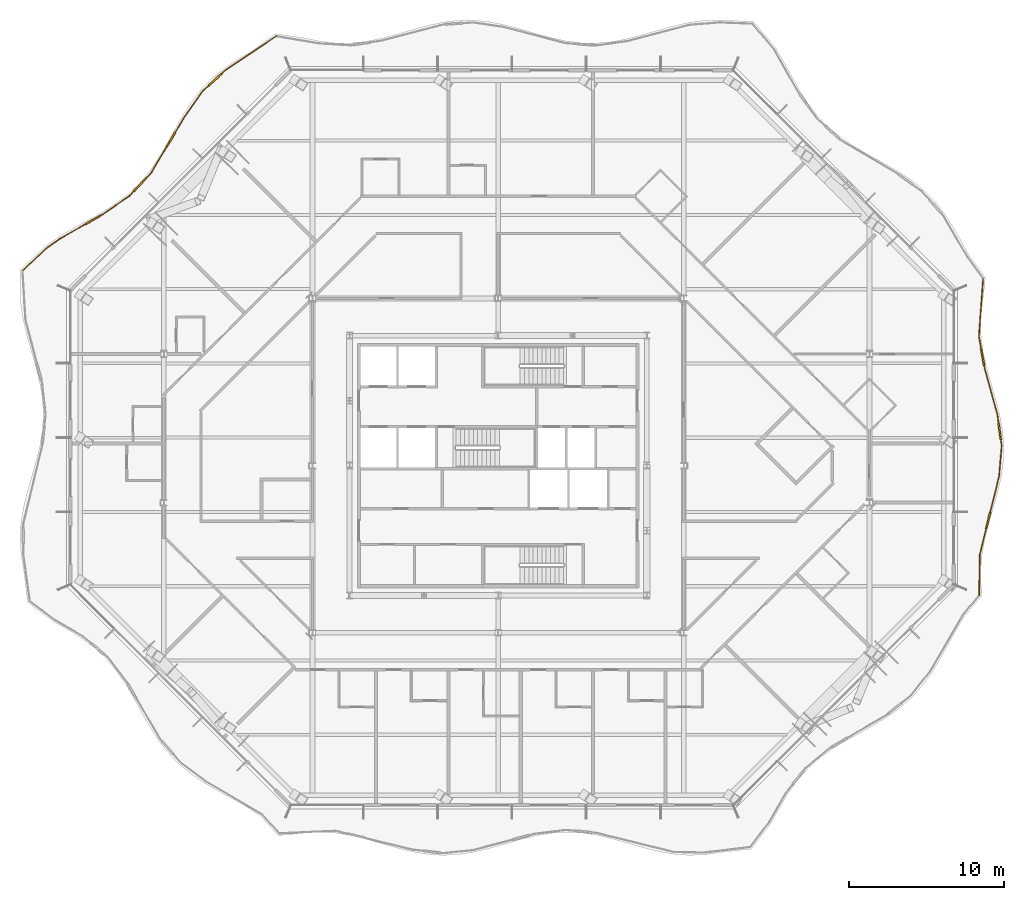
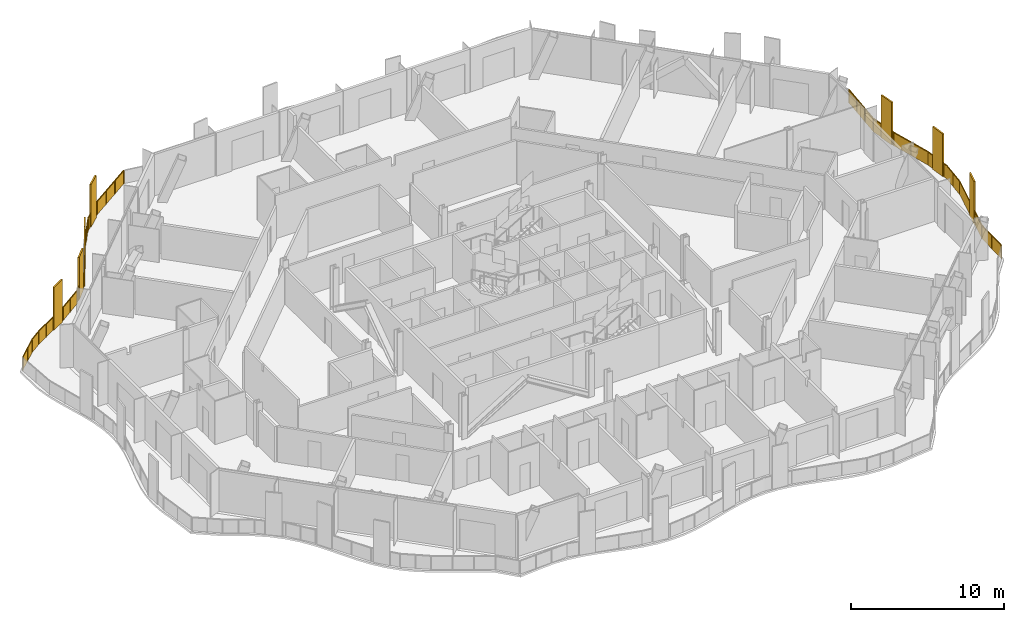
# One storey, part 19 of 21: 2 railings.
"""IFC4 building model written with IfcOpenShell, lengths in metres."""

from ifc_helpers import new_model, si_unit, direction, frame, origin, origin_2d, place, context, subcontext, project, spatial, polyline, rectangle, outline, extrude, material, type_object, element, save


model = new_model("IFC4")

# Units and contexts
model_context = context("Model", 3, precision=1e-05, world=origin(), true_north=direction((0.0, 1.0)))
body_context = subcontext(model_context, "Body", "Model", "MODEL_VIEW")
ifc_project = project(units=[si_unit("LENGTHUNIT", "METRE"), si_unit("AREAUNIT", "SQUARE_METRE"), si_unit("VOLUMEUNIT", "CUBIC_METRE"), si_unit("PLANEANGLEUNIT", "RADIAN"), si_unit("MASSUNIT", "GRAM", prefix="KILO")], contexts=[model_context])

# Site, building, storey
site_placement = place(None, origin())
site = spatial("IfcSite", under=ifc_project, at=site_placement, CompositionType="ELEMENT")
building_placement = place(site_placement, origin())
building = spatial("IfcBuilding", under=site, at=building_placement, Name="Cairn Pilgrim Tower", CompositionType="ELEMENT")
storey_placement = place(building_placement, frame((0.0, 0.0, 179.39990234375)))
storey = spatial("IfcBuildingStorey", under=building, at=storey_placement, Name="L45", CompositionType="ELEMENT", Elevation=179.39990234375)

# Railings
ifc_material = material(Name="Bronze anodised aluminium rail, posts and fin screens with laminated glass infill", Category="aluminium")
railing_type = type_object("IfcRailingType", Name="BALCONY GUARD WITH FIN SCREENS", PredefinedType="GUARDRAIL", material=ifc_material)
railing_1_placement = place(storey_placement, frame((38.290771484375, -5.982666015625, 0.0)))
element("IfcRailing", 1, at=railing_1_placement, inside=storey, type_object=railing_type, Name="Balcony guard BGF-3 with fin screens", PredefinedType="GUARDRAIL", context=body_context, shape_type="SweptSolid", body=[
    extrude(rectangle(XDim=0.050048828125, YDim=0.050048828125, at=origin_2d()), frame((0.0, 0.0, 1.0751953125), z_axis=(0.014983425772, 0.999887742175, 0.0), x_axis=(-0.999887742175, 0.014983425772, 0.0)), (0.0, 0.0, 1.0), 2.623291015625),
    extrude(rectangle(XDim=1.10009765625, YDim=0.110107421875, at=origin_2d()), frame((0.5849609375, 4.8330078125, 0.0), z_axis=(0.0, 0.0, 1.0), x_axis=(0.239755874663, 0.970833209447, 0.0)), (0.0, 0.0, 1.0), 3.39990234375),
    extrude(rectangle(XDim=0.050048828125, YDim=0.050048828125, at=origin_2d()), frame((0.039306640625, 2.623046875, 1.0751953125), z_axis=(0.239755874663, 0.970833209447, 0.0), x_axis=(-0.970833209447, 0.239755874663, 0.0)), (0.0, 0.0, 1.0), 1.726318359375),
    extrude(rectangle(XDim=0.050048828125, YDim=0.050048828125, at=origin_2d()), frame((0.716796875, 5.366943359375, 1.0751953125), z_axis=(0.239755874663, 0.970833209447, 0.0), x_axis=(-0.970833209447, 0.239755874663, 0.0)), (0.0, 0.0, 1.0), 2.38330078125),
    extrude(rectangle(XDim=0.050048828125, YDim=0.050048828125, at=origin_2d()), frame((1.288330078125, 7.6806640625, 1.0751953125), z_axis=(0.083146523356, 0.996537332795, 0.0), x_axis=(-0.996537332795, 0.083146523356, 0.0)), (0.0, 0.0, 1.0), 1.99951171875),
    extrude(rectangle(XDim=1.10009765625, YDim=0.110107421875, at=origin_2d()), frame((1.328857421875, 10.58984375, 0.0), z_axis=(0.0, 0.0, 1.0), x_axis=(-0.135919350568, 0.990719904989, 0.0)), (0.0, 0.0, 1.0), 3.39990234375),
    extrude(rectangle(XDim=0.050048828125, YDim=0.050048828125, at=origin_2d()), frame((1.45458984375, 9.67333984375, 1.0751953125), z_axis=(-0.135919350568, 0.990719904989, 0.0), x_axis=(-0.990719904989, -0.135919350568, 0.0)), (0.0, 0.0, 1.0), 0.375244140625),
    extrude(rectangle(XDim=0.050048828125, YDim=0.050048828125, at=origin_2d()), frame((1.254150390625, 11.134765625, 1.0751953125), z_axis=(-0.135919350568, 0.990719904989, 0.0), x_axis=(-0.990719904989, -0.135919350568, 0.0)), (0.0, 0.0, 1.0), 0.538330078125),
    extrude(rectangle(XDim=0.050048828125, YDim=0.050048828125, at=origin_2d()), frame((1.180908203125, 11.668212890625, 1.0751953125), z_axis=(-0.266553808862, 0.96382003869, 0.0), x_axis=(-0.96382003869, -0.266553808862, 0.0)), (0.0, 0.0, 1.0), 3.142578125),
    extrude(rectangle(XDim=1.10009765625, YDim=0.110107421875, at=origin_2d()), frame((0.22216796875, 15.38623046875, 0.0), z_axis=(0.0, 0.0, 1.0), x_axis=(-0.172967470209, 0.984927537563, 0.0)), (0.0, 0.0, 1.0), 3.39990234375),
    extrude(rectangle(XDim=0.050048828125, YDim=0.050048828125, at=origin_2d()), frame((0.34326171875, 14.697021484375, 1.0751953125), z_axis=(-0.172967470209, 0.984927537563, 0.0), x_axis=(-0.984927537563, -0.172967470209, 0.0)), (0.0, 0.0, 1.0), 0.14990234375),
    extrude(rectangle(XDim=0.050048828125, YDim=0.050048828125, at=origin_2d()), frame((0.127197265625, 15.927978515625, 1.0751953125), z_axis=(-0.172967470209, 0.984927537563, 0.0), x_axis=(-0.984927537563, -0.172967470209, 0.0)), (0.0, 0.0, 1.0), 0.827880859375),
    extrude(rectangle(XDim=0.050048828125, YDim=0.050048828125, at=origin_2d()), frame((-0.01611328125, 16.743408203125, 1.0751953125), z_axis=(0.072629009859, 0.997359026092, 0.0), x_axis=(-0.997359026092, 0.072629009859, 0.0)), (0.0, 0.0, 1.0), 3.69091796875),
    extrude(rectangle(XDim=0.050048828125, YDim=0.050048828125, at=origin_2d()), origin(), (0.0, 0.0, 1.0), 1.050048828125),
    extrude(rectangle(XDim=0.050048828125, YDim=0.050048828125, at=origin_2d()), frame((0.01953125, 1.3115234375, 0.0)), (0.0, 0.0, 1.0), 1.050048828125),
    extrude(rectangle(XDim=0.050048828125, YDim=0.050048828125, at=origin_2d()), frame((0.039306640625, 2.623046875, 0.0)), (0.0, 0.0, 1.0), 1.050048828125),
    extrude(rectangle(XDim=0.050048828125, YDim=0.050048828125, at=origin_2d()), frame((0.447265625, 4.274658203125, 0.0)), (0.0, 0.0, 1.0), 1.050048828125),
    extrude(rectangle(XDim=0.050048828125, YDim=0.050048828125, at=origin_2d()), frame((0.722900390625, 5.39111328125, 0.0)), (0.0, 0.0, 1.0), 1.050048828125),
    extrude(rectangle(XDim=0.050048828125, YDim=0.050048828125, at=origin_2d()), frame((1.005615234375, 6.535888671875, 0.0)), (0.0, 0.0, 1.0), 1.050048828125),
    extrude(rectangle(XDim=0.050048828125, YDim=0.050048828125, at=origin_2d()), frame((1.288330078125, 7.6806640625, 0.0)), (0.0, 0.0, 1.0), 1.050048828125),
    extrude(rectangle(XDim=0.050048828125, YDim=0.050048828125, at=origin_2d()), frame((1.37158203125, 8.677001953125, 0.0)), (0.0, 0.0, 1.0), 1.050048828125),
    extrude(rectangle(XDim=0.050048828125, YDim=0.050048828125, at=origin_2d()), frame((1.45458984375, 9.67333984375, 0.0)), (0.0, 0.0, 1.0), 1.050048828125),
    extrude(rectangle(XDim=0.050048828125, YDim=0.050048828125, at=origin_2d()), frame((1.406982421875, 10.020263671875, 0.0)), (0.0, 0.0, 1.0), 1.050048828125),
    extrude(rectangle(XDim=0.050048828125, YDim=0.050048828125, at=origin_2d()), frame((1.250732421875, 11.15966796875, 0.0)), (0.0, 0.0, 1.0), 1.050048828125),
    extrude(rectangle(XDim=0.050048828125, YDim=0.050048828125, at=origin_2d()), frame((1.180908203125, 11.668212890625, 0.0)), (0.0, 0.0, 1.0), 1.050048828125),
    extrude(rectangle(XDim=0.050048828125, YDim=0.050048828125, at=origin_2d()), frame((0.76220703125, 13.1826171875, 0.0)), (0.0, 0.0, 1.0), 1.050048828125),
    extrude(rectangle(XDim=0.050048828125, YDim=0.050048828125, at=origin_2d()), frame((0.34326171875, 14.697021484375, 0.0)), (0.0, 0.0, 1.0), 1.050048828125),
    extrude(rectangle(XDim=0.050048828125, YDim=0.050048828125, at=origin_2d()), frame((0.32177734375, 14.820068359375, 0.0)), (0.0, 0.0, 1.0), 1.050048828125),
    extrude(rectangle(XDim=0.050048828125, YDim=0.050048828125, at=origin_2d()), frame((0.122802734375, 15.95263671875, 0.0)), (0.0, 0.0, 1.0), 1.050048828125),
    extrude(rectangle(XDim=0.050048828125, YDim=0.050048828125, at=origin_2d()), frame((-0.01611328125, 16.743408203125, 0.0)), (0.0, 0.0, 1.0), 1.050048828125),
    extrude(rectangle(XDim=0.050048828125, YDim=0.050048828125, at=origin_2d()), frame((0.0732421875, 17.970458984375, 0.0)), (0.0, 0.0, 1.0), 1.050048828125),
    extrude(rectangle(XDim=0.050048828125, YDim=0.050048828125, at=origin_2d()), frame((0.16259765625, 19.197509765625, 0.0)), (0.0, 0.0, 1.0), 1.050048828125),
    extrude(rectangle(XDim=0.050048828125, YDim=0.050048828125, at=origin_2d()), frame((0.251953125, 20.424560546875, 0.0)), (0.0, 0.0, 1.0), 1.050048828125),
    extrude(outline(polyline([(0.02490234375, 0.0), (1.28662109375, 0.0), (1.28662109375, 1.050048828125), (0.02490234375, 1.050048828125), (0.02490234375, 0.0)])), frame((-0.005859375, 0.0, 0.0), z_axis=(0.999887742175, -0.014983425772, 0.0), x_axis=(0.014983425772, 0.999887742175, 0.0)), (0.0, 0.0, 1.0), 0.011962890625),
    extrude(outline(polyline([(0.02490234375, 0.0), (1.28662109375, 0.0), (1.28662109375, 1.050048828125), (0.02490234375, 1.050048828125), (0.02490234375, 0.0)])), frame((0.013671875, 1.3115234375, 0.0), z_axis=(0.999887742175, -0.014983425772, 0.0), x_axis=(0.014983425772, 0.999887742175, 0.0)), (0.0, 0.0, 1.0), 0.011962890625),
    extrude(outline(polyline([(0.02490234375, 0.0), (1.67626953125, 0.0), (1.67626953125, 1.050048828125), (0.02490234375, 1.050048828125), (0.02490234375, 0.0)])), frame((0.033447265625, 2.62451171875, 0.0), z_axis=(0.970833209447, -0.239755874663, 0.0), x_axis=(0.239755874663, 0.970833209447, 0.0)), (0.0, 0.0, 1.0), 0.011962890625),
    extrude(outline(polyline([(0.02490234375, 0.0), (1.154052734375, 0.0), (1.154052734375, 1.050048828125), (0.02490234375, 1.050048828125), (0.02490234375, 0.0)])), frame((0.717041015625, 5.392578125, 0.0), z_axis=(0.970833209447, -0.239755874663, 0.0), x_axis=(0.239755874663, 0.970833209447, 0.0)), (0.0, 0.0, 1.0), 0.011962890625),
    extrude(outline(polyline([(0.02490234375, 0.0), (1.154052734375, 0.0), (1.154052734375, 1.050048828125), (0.02490234375, 1.050048828125), (0.02490234375, 0.0)])), frame((0.999755859375, 6.537353515625, 0.0), z_axis=(0.970833209447, -0.239755874663, 0.0), x_axis=(0.239755874663, 0.970833209447, 0.0)), (0.0, 0.0, 1.0), 0.011962890625),
    extrude(outline(polyline([(0.02490234375, 0.0), (0.974853515625, 0.0), (0.974853515625, 1.050048828125), (0.02490234375, 1.050048828125), (0.02490234375, 0.0)])), frame((1.282470703125, 7.68115234375, 0.0), z_axis=(0.996537332795, -0.083146523356, 0.0), x_axis=(0.083146523356, 0.996537332795, 0.0)), (0.0, 0.0, 1.0), 0.011962890625),
    extrude(outline(polyline([(0.02490234375, 0.0), (0.974853515625, 0.0), (0.974853515625, 1.050048828125), (0.02490234375, 1.050048828125), (0.02490234375, 0.0)])), frame((1.365478515625, 8.677490234375, 0.0), z_axis=(0.996537332795, -0.083146523356, 0.0), x_axis=(0.083146523356, 0.996537332795, 0.0)), (0.0, 0.0, 1.0), 0.011962890625),
    extrude(outline(polyline([(0.02490234375, 0.0), (0.3251953125, 0.0), (0.3251953125, 1.050048828125), (0.02490234375, 1.050048828125), (0.02490234375, 0.0)])), frame((1.44873046875, 9.672607421875, 0.0), z_axis=(0.990719904989, 0.135919350568, 0.0), x_axis=(-0.135919350568, 0.990719904989, 0.0)), (0.0, 0.0, 1.0), 0.011962890625),
    extrude(outline(polyline([(0.02490234375, 0.0), (0.48828125, 0.0), (0.48828125, 1.050048828125), (0.02490234375, 1.050048828125), (0.02490234375, 0.0)])), frame((1.244873046875, 11.158935546875, 0.0), z_axis=(0.990719904989, 0.135919350568, 0.0), x_axis=(-0.135919350568, 0.990719904989, 0.0)), (0.0, 0.0, 1.0), 0.011962890625),
    extrude(outline(polyline([(0.02490234375, 0.0), (1.546142578125, 0.0), (1.546142578125, 1.050048828125), (0.02490234375, 1.050048828125), (0.02490234375, 0.0)])), frame((1.175048828125, 11.66650390625, 0.0), z_axis=(0.96382003869, 0.266553808862, 0.0), x_axis=(-0.266553808862, 0.96382003869, 0.0)), (0.0, 0.0, 1.0), 0.011962890625),
    extrude(outline(polyline([(0.02490234375, 0.0), (1.546142578125, 0.0), (1.546142578125, 1.050048828125), (0.02490234375, 1.050048828125), (0.02490234375, 0.0)])), frame((0.75634765625, 13.180908203125, 0.0), z_axis=(0.96382003869, 0.266553808862, 0.0), x_axis=(-0.266553808862, 0.96382003869, 0.0)), (0.0, 0.0, 1.0), 0.011962890625),
    extrude(outline(polyline([(0.02490234375, 0.0), (0.099853515625, 0.0), (0.099853515625, 1.050048828125), (0.02490234375, 1.050048828125), (0.02490234375, 0.0)])), frame((0.33740234375, 14.696044921875, 0.0), z_axis=(0.984927537563, 0.172967470209, 0.0), x_axis=(-0.172967470209, 0.984927537563, 0.0)), (0.0, 0.0, 1.0), 0.011962890625),
    extrude(outline(polyline([(0.02490234375, 0.0), (0.77783203125, 0.0), (0.77783203125, 1.050048828125), (0.02490234375, 1.050048828125), (0.02490234375, 0.0)])), frame((0.116943359375, 15.95166015625, 0.0), z_axis=(0.984927537563, 0.172967470209, 0.0), x_axis=(-0.172967470209, 0.984927537563, 0.0)), (0.0, 0.0, 1.0), 0.011962890625),
    extrude(outline(polyline([(0.02490234375, 0.0), (1.205322265625, 0.0), (1.205322265625, 1.050048828125), (0.02490234375, 1.050048828125), (0.02490234375, 0.0)])), frame((-0.02197265625, 16.743896484375, 0.0), z_axis=(0.997359026092, -0.072629009859, 0.0), x_axis=(0.072629009859, 0.997359026092, 0.0)), (0.0, 0.0, 1.0), 0.011962890625),
    extrude(outline(polyline([(0.02490234375, 0.0), (1.205322265625, 0.0), (1.205322265625, 1.050048828125), (0.02490234375, 1.050048828125), (0.02490234375, 0.0)])), frame((0.0673828125, 17.970947265625, 0.0), z_axis=(0.997359026092, -0.072629009859, 0.0), x_axis=(0.072629009859, 0.997359026092, 0.0)), (0.0, 0.0, 1.0), 0.011962890625),
    extrude(outline(polyline([(0.02490234375, 0.0), (1.205322265625, 0.0), (1.205322265625, 1.050048828125), (0.02490234375, 1.050048828125), (0.02490234375, 0.0)])), frame((0.15673828125, 19.197998046875, 0.0), z_axis=(0.997359026092, -0.072629009859, 0.0), x_axis=(0.072629009859, 0.997359026092, 0.0)), (0.0, 0.0, 1.0), 0.011962890625),
])
railing_2_placement = place(storey_placement, frame((-7.140869140625, 30.154296875, 0.0)))
element("IfcRailing", 2, at=railing_2_placement, inside=storey, type_object=railing_type, Name="Balcony guard BGF-6 with fin screens", PredefinedType="GUARDRAIL", context=body_context, shape_type="SweptSolid", body=[
    extrude(rectangle(XDim=0.050048828125, YDim=0.050048828125, at=origin_2d()), frame((0.0, 0.0, 1.0751953125), z_axis=(-0.830548382097, -0.556946483063, 0.0), x_axis=(0.556946483063, -0.830548382097, 0.0)), (0.0, 0.0, 1.0), 3.934326171875),
    extrude(rectangle(XDim=1.10009765625, YDim=0.110107421875, at=origin_2d()), frame((-3.95263671875, -2.817626953125, 0.0), z_axis=(0.0, 0.0, 1.0), x_axis=(-0.737964899135, -0.674839097597, 0.0)), (0.0, 0.0, 1.0), 3.39990234375),
    extrude(rectangle(XDim=0.050048828125, YDim=0.050048828125, at=origin_2d()), frame((-3.267578125, -2.191162109375, 1.0751953125), z_axis=(-0.737964899135, -0.674839097597, 0.0), x_axis=(0.674839097597, -0.737964899135, 0.0)), (0.0, 0.0, 1.0), 0.37841796875),
    extrude(rectangle(XDim=0.050048828125, YDim=0.050048828125, at=origin_2d()), frame((-4.358642578125, -3.188720703125, 1.0751953125), z_axis=(-0.737964899135, -0.674839097597, 0.0), x_axis=(0.674839097597, -0.737964899135, 0.0)), (0.0, 0.0, 1.0), 0.53271484375),
    extrude(rectangle(XDim=0.050048828125, YDim=0.050048828125, at=origin_2d()), frame((-4.751708984375, -3.54833984375, 1.0751953125), z_axis=(-0.57695980873, -0.816772538171, 0.0), x_axis=(0.816772538171, -0.57695980873, 0.0)), (0.0, 0.0, 1.0), 2.044189453125),
    extrude(rectangle(XDim=1.10009765625, YDim=0.110107421875, at=origin_2d()), frame((-6.80517578125, -6.6884765625, 0.0), z_axis=(0.0, 0.0, 1.0), x_axis=(-0.510929608924, -0.859622553639, 0.0)), (0.0, 0.0, 1.0), 3.39990234375),
    extrude(rectangle(XDim=0.050048828125, YDim=0.050048828125, at=origin_2d()), frame((-5.93115234375, -5.218017578125, 1.0751953125), z_axis=(-0.510929608924, -0.859622553639, 0.0), x_axis=(0.859622553639, -0.510929608924, 0.0)), (0.0, 0.0, 1.0), 1.160400390625),
    extrude(rectangle(XDim=0.050048828125, YDim=0.050048828125, at=origin_2d()), frame((-7.086181640625, -7.1611328125, 1.0751953125), z_axis=(-0.510929608924, -0.859622553639, 0.0), x_axis=(0.859622553639, -0.510929608924, 0.0)), (0.0, 0.0, 1.0), 1.953125),
    extrude(rectangle(XDim=1.10009765625, YDim=0.110107421875, at=origin_2d()), frame((-8.81591796875, -9.61474609375, 0.0), z_axis=(0.0, 0.0, 1.0), x_axis=(-0.686831314979, -0.726816857788, 0.0)), (0.0, 0.0, 1.0), 3.39990234375),
    extrude(rectangle(XDim=0.050048828125, YDim=0.050048828125, at=origin_2d()), frame((-8.083984375, -8.840087890625, 1.0751953125), z_axis=(-0.686831314979, -0.726816857788, 0.0), x_axis=(0.726816857788, -0.686831314979, 0.0)), (0.0, 0.0, 1.0), 0.515869140625),
    extrude(rectangle(XDim=0.050048828125, YDim=0.050048828125, at=origin_2d()), frame((-9.19384765625, -10.014404296875, 1.0751953125), z_axis=(-0.686831314979, -0.726816857788, 0.0), x_axis=(0.726816857788, -0.686831314979, 0.0)), (0.0, 0.0, 1.0), 0.4541015625),
    extrude(rectangle(XDim=0.050048828125, YDim=0.050048828125, at=origin_2d()), frame((-9.505615234375, -10.344482421875, 1.0751953125), z_axis=(-0.823905775321, -0.566726806665, 0.0), x_axis=(0.566726806665, -0.823905775321, 0.0)), (0.0, 0.0, 1.0), 2.09326171875),
    extrude(rectangle(XDim=1.10009765625, YDim=0.110107421875, at=origin_2d()), frame((-11.838623046875, -11.876953125, 0.0), z_axis=(0.0, 0.0, 1.0), x_axis=(-0.869218667817, -0.49442785876, 0.0)), (0.0, 0.0, 1.0), 3.39990234375),
    extrude(rectangle(XDim=0.050048828125, YDim=0.050048828125, at=origin_2d()), frame((-11.230224609375, -11.53076171875, 1.0751953125), z_axis=(-0.869218667817, -0.49442785876, 0.0), x_axis=(0.49442785876, -0.869218667817, 0.0)), (0.0, 0.0, 1.0), 0.14990234375),
    extrude(rectangle(XDim=0.050048828125, YDim=0.050048828125, at=origin_2d()), frame((-12.316650390625, -12.148681640625, 1.0751953125), z_axis=(-0.869218667817, -0.49442785876, 0.0), x_axis=(0.49442785876, -0.869218667817, 0.0)), (0.0, 0.0, 1.0), 1.917236328125),
    extrude(rectangle(XDim=0.050048828125, YDim=0.050048828125, at=origin_2d()), frame((-13.983154296875, -13.0966796875, 1.0751953125), z_axis=(-0.818463515075, -0.574558503976, 0.0), x_axis=(0.574558503976, -0.818463515075, 0.0)), (0.0, 0.0, 1.0), 1.015869140625),
    extrude(rectangle(XDim=0.050048828125, YDim=0.050048828125, at=origin_2d()), frame((-14.814697265625, -13.680419921875, 1.0751953125), z_axis=(-0.728976887827, -0.684538309384, 0.0), x_axis=(0.684538309384, -0.728976887827, 0.0)), (0.0, 0.0, 1.0), 2.12060546875),
    extrude(rectangle(XDim=0.050048828125, YDim=0.050048828125, at=origin_2d()), origin(), (0.0, 0.0, 1.0), 1.050048828125),
    extrude(rectangle(XDim=0.050048828125, YDim=0.050048828125, at=origin_2d()), frame((-1.089111328125, -0.73046875, 0.0)), (0.0, 0.0, 1.0), 1.050048828125),
    extrude(rectangle(XDim=0.050048828125, YDim=0.050048828125, at=origin_2d()), frame((-2.178466796875, -1.460693359375, 0.0)), (0.0, 0.0, 1.0), 1.050048828125),
    extrude(rectangle(XDim=0.050048828125, YDim=0.050048828125, at=origin_2d()), frame((-3.267578125, -2.191162109375, 0.0)), (0.0, 0.0, 1.0), 1.050048828125),
    extrude(rectangle(XDim=0.050048828125, YDim=0.050048828125, at=origin_2d()), frame((-3.5283203125, -2.4296875, 0.0)), (0.0, 0.0, 1.0), 1.050048828125),
    extrude(rectangle(XDim=0.050048828125, YDim=0.050048828125, at=origin_2d()), frame((-4.376953125, -3.205810546875, 0.0)), (0.0, 0.0, 1.0), 1.050048828125),
    extrude(rectangle(XDim=0.050048828125, YDim=0.050048828125, at=origin_2d()), frame((-4.751708984375, -3.54833984375, 0.0)), (0.0, 0.0, 1.0), 1.050048828125),
    extrude(rectangle(XDim=0.050048828125, YDim=0.050048828125, at=origin_2d()), frame((-5.34130859375, -4.38330078125, 0.0)), (0.0, 0.0, 1.0), 1.050048828125),
    extrude(rectangle(XDim=0.050048828125, YDim=0.050048828125, at=origin_2d()), frame((-5.93115234375, -5.218017578125, 0.0)), (0.0, 0.0, 1.0), 1.050048828125),
    extrude(rectangle(XDim=0.050048828125, YDim=0.050048828125, at=origin_2d()), frame((-6.51123046875, -6.194091796875, 0.0)), (0.0, 0.0, 1.0), 1.050048828125),
    extrude(rectangle(XDim=0.050048828125, YDim=0.050048828125, at=origin_2d()), frame((-7.098876953125, -7.1826171875, 0.0)), (0.0, 0.0, 1.0), 1.050048828125),
    extrude(rectangle(XDim=0.050048828125, YDim=0.050048828125, at=origin_2d()), frame((-7.591552734375, -8.011474609375, 0.0)), (0.0, 0.0, 1.0), 1.050048828125),
    extrude(rectangle(XDim=0.050048828125, YDim=0.050048828125, at=origin_2d()), frame((-8.083984375, -8.840087890625, 0.0)), (0.0, 0.0, 1.0), 1.050048828125),
    extrude(rectangle(XDim=0.050048828125, YDim=0.050048828125, at=origin_2d()), frame((-8.421142578125, -9.19677734375, 0.0)), (0.0, 0.0, 1.0), 1.050048828125),
    extrude(rectangle(XDim=0.050048828125, YDim=0.050048828125, at=origin_2d()), frame((-9.2109375, -10.03271484375, 0.0)), (0.0, 0.0, 1.0), 1.050048828125),
    extrude(rectangle(XDim=0.050048828125, YDim=0.050048828125, at=origin_2d()), frame((-9.505615234375, -10.344482421875, 0.0)), (0.0, 0.0, 1.0), 1.050048828125),
    extrude(rectangle(XDim=0.050048828125, YDim=0.050048828125, at=origin_2d()), frame((-10.367919921875, -10.9375, 0.0)), (0.0, 0.0, 1.0), 1.050048828125),
    extrude(rectangle(XDim=0.050048828125, YDim=0.050048828125, at=origin_2d()), frame((-11.230224609375, -11.53076171875, 0.0)), (0.0, 0.0, 1.0), 1.050048828125),
    extrude(rectangle(XDim=0.050048828125, YDim=0.050048828125, at=origin_2d()), frame((-11.3388671875, -11.592529296875, 0.0)), (0.0, 0.0, 1.0), 1.050048828125),
    extrude(rectangle(XDim=0.050048828125, YDim=0.050048828125, at=origin_2d()), frame((-12.33837890625, -12.1611328125, 0.0)), (0.0, 0.0, 1.0), 1.050048828125),
    extrude(rectangle(XDim=0.050048828125, YDim=0.050048828125, at=origin_2d()), frame((-13.160888671875, -12.62890625, 0.0)), (0.0, 0.0, 1.0), 1.050048828125),
    extrude(rectangle(XDim=0.050048828125, YDim=0.050048828125, at=origin_2d()), frame((-13.983154296875, -13.0966796875, 0.0)), (0.0, 0.0, 1.0), 1.050048828125),
    extrude(rectangle(XDim=0.050048828125, YDim=0.050048828125, at=origin_2d()), frame((-14.814697265625, -13.680419921875, 0.0)), (0.0, 0.0, 1.0), 1.050048828125),
    extrude(rectangle(XDim=0.050048828125, YDim=0.050048828125, at=origin_2d()), frame((-15.587646484375, -14.40625, 0.0)), (0.0, 0.0, 1.0), 1.050048828125),
    extrude(rectangle(XDim=0.050048828125, YDim=0.050048828125, at=origin_2d()), frame((-16.360595703125, -15.132080078125, 0.0)), (0.0, 0.0, 1.0), 1.050048828125),
    extrude(outline(polyline([(0.02490234375, 0.0), (1.286376953125, 0.0), (1.286376953125, 1.050048828125), (0.02490234375, 1.050048828125), (0.02490234375, 0.0)])), frame((0.00341796875, -0.0048828125, 0.0), z_axis=(-0.556946483063, 0.830548382097, 0.0), x_axis=(-0.830548382097, -0.556946483063, 0.0)), (0.0, 0.0, 1.0), 0.011962890625),
    extrude(outline(polyline([(0.02490234375, 0.0), (1.286376953125, 0.0), (1.286376953125, 1.050048828125), (0.02490234375, 1.050048828125), (0.02490234375, 0.0)])), frame((-1.0859375, -0.7353515625, 0.0), z_axis=(-0.556946483063, 0.830548382097, 0.0), x_axis=(-0.830548382097, -0.556946483063, 0.0)), (0.0, 0.0, 1.0), 0.011962890625),
    extrude(outline(polyline([(0.02490234375, 0.0), (1.286376953125, 0.0), (1.286376953125, 1.050048828125), (0.02490234375, 1.050048828125), (0.02490234375, 0.0)])), frame((-2.175048828125, -1.4658203125, 0.0), z_axis=(-0.556946483063, 0.830548382097, 0.0), x_axis=(-0.830548382097, -0.556946483063, 0.0)), (0.0, 0.0, 1.0), 0.011962890625),
    extrude(outline(polyline([(0.02490234375, 0.0), (0.328369140625, 0.0), (0.328369140625, 1.050048828125), (0.02490234375, 1.050048828125), (0.02490234375, 0.0)])), frame((-3.263427734375, -2.195556640625, 0.0), z_axis=(-0.674839097597, 0.737964899135, 0.0), x_axis=(-0.737964899135, -0.674839097597, 0.0)), (0.0, 0.0, 1.0), 0.011962890625),
    extrude(outline(polyline([(0.02490234375, 0.0), (0.482666015625, 0.0), (0.482666015625, 1.050048828125), (0.02490234375, 1.050048828125), (0.02490234375, 0.0)])), frame((-4.373046875, -3.210205078125, 0.0), z_axis=(-0.674839097597, 0.737964899135, 0.0), x_axis=(-0.737964899135, -0.674839097597, 0.0)), (0.0, 0.0, 1.0), 0.011962890625),
    extrude(outline(polyline([(0.02490234375, 0.0), (0.9970703125, 0.0), (0.9970703125, 1.050048828125), (0.02490234375, 1.050048828125), (0.02490234375, 0.0)])), frame((-4.746826171875, -3.5517578125, 0.0), z_axis=(-0.816772538171, 0.57695980873, 0.0), x_axis=(-0.57695980873, -0.816772538171, 0.0)), (0.0, 0.0, 1.0), 0.011962890625),
    extrude(outline(polyline([(0.02490234375, 0.0), (0.9970703125, 0.0), (0.9970703125, 1.050048828125), (0.02490234375, 1.050048828125), (0.02490234375, 0.0)])), frame((-5.33642578125, -4.38671875, 0.0), z_axis=(-0.816772538171, 0.57695980873, 0.0), x_axis=(-0.57695980873, -0.816772538171, 0.0)), (0.0, 0.0, 1.0), 0.011962890625),
    extrude(outline(polyline([(0.02490234375, 0.0), (1.1103515625, 0.0), (1.1103515625, 1.050048828125), (0.02490234375, 1.050048828125), (0.02490234375, 0.0)])), frame((-5.926025390625, -5.22119140625, 0.0), z_axis=(-0.859622553639, 0.510929608924, 0.0), x_axis=(-0.510929608924, -0.859622553639, 0.0)), (0.0, 0.0, 1.0), 0.011962890625),
    extrude(outline(polyline([(0.02490234375, 0.0), (0.93896484375, 0.0), (0.93896484375, 1.050048828125), (0.02490234375, 1.050048828125), (0.02490234375, 0.0)])), frame((-7.09375, -7.185791015625, 0.0), z_axis=(-0.859622553639, 0.510929608924, 0.0), x_axis=(-0.510929608924, -0.859622553639, 0.0)), (0.0, 0.0, 1.0), 0.011962890625),
    extrude(outline(polyline([(0.02490234375, 0.0), (0.93896484375, 0.0), (0.93896484375, 1.050048828125), (0.02490234375, 1.050048828125), (0.02490234375, 0.0)])), frame((-7.586181640625, -8.014404296875, 0.0), z_axis=(-0.859622553639, 0.510929608924, 0.0), x_axis=(-0.510929608924, -0.859622553639, 0.0)), (0.0, 0.0, 1.0), 0.011962890625),
    extrude(outline(polyline([(0.02490234375, 0.0), (0.4658203125, 0.0), (0.4658203125, 1.050048828125), (0.02490234375, 1.050048828125), (0.02490234375, 0.0)])), frame((-8.07958984375, -8.84423828125, 0.0), z_axis=(-0.726816857788, 0.686831314979, 0.0), x_axis=(-0.686831314979, -0.726816857788, 0.0)), (0.0, 0.0, 1.0), 0.011962890625),
    extrude(outline(polyline([(0.02490234375, 0.0), (0.404052734375, 0.0), (0.404052734375, 1.050048828125), (0.02490234375, 1.050048828125), (0.02490234375, 0.0)])), frame((-9.20654296875, -10.03662109375, 0.0), z_axis=(-0.726816857788, 0.686831314979, 0.0), x_axis=(-0.686831314979, -0.726816857788, 0.0)), (0.0, 0.0, 1.0), 0.011962890625),
    extrude(outline(polyline([(0.02490234375, 0.0), (1.021484375, 0.0), (1.021484375, 1.050048828125), (0.02490234375, 1.050048828125), (0.02490234375, 0.0)])), frame((-9.502197265625, -10.349365234375, 0.0), z_axis=(-0.566726806665, 0.823905775321, 0.0), x_axis=(-0.823905775321, -0.566726806665, 0.0)), (0.0, 0.0, 1.0), 0.011962890625),
    extrude(outline(polyline([(0.02490234375, 0.0), (1.021484375, 0.0), (1.021484375, 1.050048828125), (0.02490234375, 1.050048828125), (0.02490234375, 0.0)])), frame((-10.364501953125, -10.942626953125, 0.0), z_axis=(-0.566726806665, 0.823905775321, 0.0), x_axis=(-0.823905775321, -0.566726806665, 0.0)), (0.0, 0.0, 1.0), 0.011962890625),
    extrude(outline(polyline([(0.02490234375, 0.0), (0.099853515625, 0.0), (0.099853515625, 1.050048828125), (0.02490234375, 1.050048828125), (0.02490234375, 0.0)])), frame((-11.227294921875, -11.535888671875, 0.0), z_axis=(-0.49442785876, 0.869218667817, 0.0), x_axis=(-0.869218667817, -0.49442785876, 0.0)), (0.0, 0.0, 1.0), 0.011962890625),
    extrude(outline(polyline([(0.02490234375, 0.0), (0.921142578125, 0.0), (0.921142578125, 1.050048828125), (0.02490234375, 1.050048828125), (0.02490234375, 0.0)])), frame((-12.33544921875, -12.166259765625, 0.0), z_axis=(-0.49442785876, 0.869218667817, 0.0), x_axis=(-0.869218667817, -0.49442785876, 0.0)), (0.0, 0.0, 1.0), 0.011962890625),
    extrude(outline(polyline([(0.02490234375, 0.0), (0.921142578125, 0.0), (0.921142578125, 1.050048828125), (0.02490234375, 1.050048828125), (0.02490234375, 0.0)])), frame((-13.157958984375, -12.634033203125, 0.0), z_axis=(-0.49442785876, 0.869218667817, 0.0), x_axis=(-0.869218667817, -0.49442785876, 0.0)), (0.0, 0.0, 1.0), 0.011962890625),
    extrude(outline(polyline([(0.02490234375, 0.0), (0.990966796875, 0.0), (0.990966796875, 1.050048828125), (0.02490234375, 1.050048828125), (0.02490234375, 0.0)])), frame((-13.979736328125, -13.1015625, 0.0), z_axis=(-0.574558503976, 0.818463515075, 0.0), x_axis=(-0.818463515075, -0.574558503976, 0.0)), (0.0, 0.0, 1.0), 0.011962890625),
    extrude(outline(polyline([(0.02490234375, 0.0), (1.035400390625, 0.0), (1.035400390625, 1.050048828125), (0.02490234375, 1.050048828125), (0.02490234375, 0.0)])), frame((-14.810546875, -13.684814453125, 0.0), z_axis=(-0.684538309384, 0.728976887827, 0.0), x_axis=(-0.728976887827, -0.684538309384, 0.0)), (0.0, 0.0, 1.0), 0.011962890625),
    extrude(outline(polyline([(0.02490234375, 0.0), (1.035400390625, 0.0), (1.035400390625, 1.050048828125), (0.02490234375, 1.050048828125), (0.02490234375, 0.0)])), frame((-15.58349609375, -14.41064453125, 0.0), z_axis=(-0.684538309384, 0.728976887827, 0.0), x_axis=(-0.728976887827, -0.684538309384, 0.0)), (0.0, 0.0, 1.0), 0.011962890625),
])

save(model, "model.ifc")
